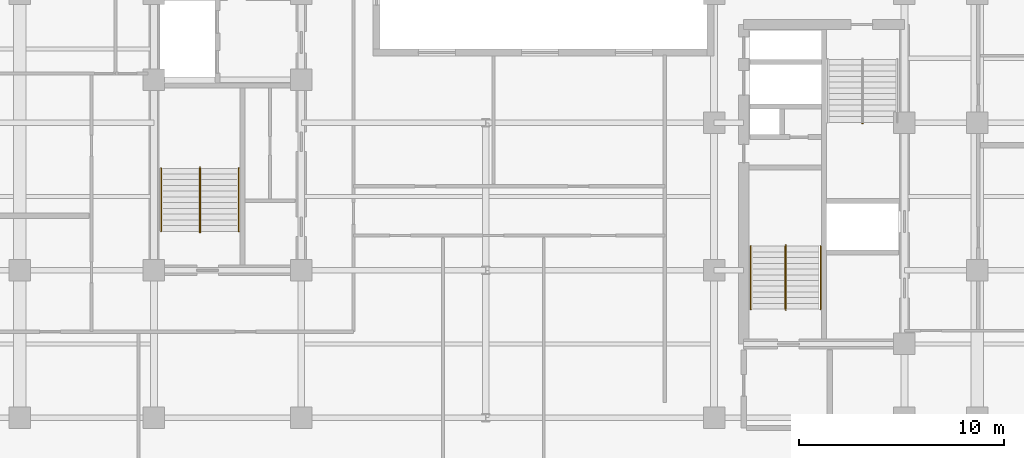
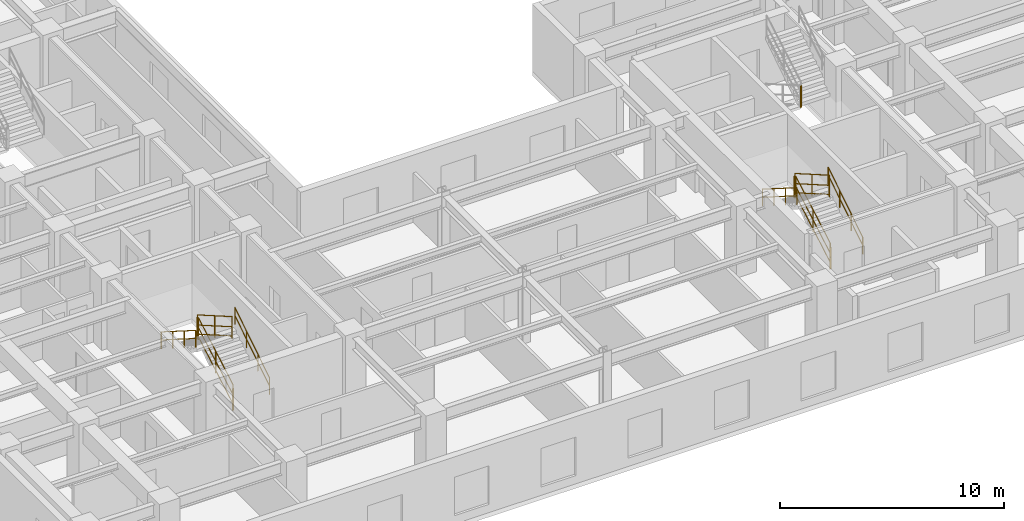
# One storey, part 8 of 10: 13 railings.
"""IFC4 building model written with IfcOpenShell, lengths in metres."""

from ifc_helpers import new_model, entity, si_unit, converted_unit, direction, frame, origin_with_axes, origin_2d_with_axis, place, context, subcontext, project, spatial, rectangle, circle, extrude, material, type_object, element, save


model = new_model("IFC4")

# Units and contexts
model_context = context("Model", 3, precision=1e-05, world=origin_with_axes(), true_north=direction((0.0, 1.0)))
body_context = subcontext(model_context, "Body", "Model", "MODEL_VIEW")
ifc_project = project(units=[si_unit("LENGTHUNIT", "METRE"), si_unit("AREAUNIT", "SQUARE_METRE"), si_unit("VOLUMEUNIT", "CUBIC_METRE"), converted_unit("PLANEANGLEUNIT", "DEGREE", entity("IfcPlaneAngleMeasure", 0.017453292519943295), si_unit("PLANEANGLEUNIT", "RADIAN"), dimensions=[0, 0, 0, 0, 0, 0, 0]), si_unit("MASSUNIT", "GRAM", prefix="KILO"), si_unit("THERMODYNAMICTEMPERATUREUNIT", "KELVIN")], contexts=[model_context])

# Site, building, storey
site_placement = place(None, origin_with_axes())
site = spatial("IfcSite", under=ifc_project, at=site_placement, CompositionType="ELEMENT")
building_placement = place(site_placement, origin_with_axes())
building = spatial("IfcBuilding", under=site, at=building_placement, Name="Varnlund Millrace Tower", CompositionType="ELEMENT")
storey_placement = place(building_placement, frame((0.0, 0.0, 148.5), z_axis=(0.0, 0.0, 1.0), x_axis=(1.0, 0.0, 0.0)))
storey = spatial("IfcBuildingStorey", under=building, at=storey_placement, Name="L36", CompositionType="ELEMENT", Elevation=148.5)

# Railings
ifc_material_1 = material(Name="Painted steel stair well balustrade guard", Category="steel")
railing_type_1 = type_object("IfcRailingType", Name="Type-StairGuard-1150", PredefinedType="GUARDRAIL", material=ifc_material_1)
railing_1_placement = place(storey_placement, frame((0.0, 0.0, -148.5), z_axis=(0.0, 0.0, 1.0), x_axis=(1.0, 0.0, 0.0)))
element("IfcRailing", 1, at=railing_1_placement, inside=storey, type_object=railing_type_1, Name="Type-StairGuard-1150", PredefinedType="GUARDRAIL", context=body_context, shape_type="SweptSolid", body=[
    extrude(circle(Radius=0.024, at=origin_2d_with_axis()), frame((13.675, 12.7, 149.827273), z_axis=(0.0, 0.866696, 0.498836), x_axis=(-1.0, 0.0, 0.0)), (0.0, 0.0, 1.0), 3.553725),
    extrude(circle(Radius=0.024, at=origin_2d_with_axis()), frame((13.675, 12.7, 148.777273), z_axis=(0.0, 0.866696, 0.498836), x_axis=(-1.0, 0.0, 0.0)), (0.0, 0.0, 1.0), 3.553725),
    extrude(circle(Radius=0.024, at=origin_2d_with_axis()), frame((13.675, 12.7, 149.275273), z_axis=(0.0, 0.866696, 0.498836), x_axis=(-1.0, 0.0, 0.0)), (0.0, 0.0, 1.0), 3.553725),
    extrude(rectangle(XDim=0.04, YDim=0.04, at=origin_2d_with_axis()), frame((13.675, 12.7, 148.637273), z_axis=(0.0, 0.0, 1.0), x_axis=(1.0, 0.0, 0.0)), (0.0, 0.0, 1.0), 1.19),
    extrude(rectangle(XDim=0.04, YDim=0.04, at=origin_2d_with_axis()), frame((13.675, 14.24, 149.523637), z_axis=(0.0, 0.0, 1.0), x_axis=(1.0, 0.0, 0.0)), (0.0, 0.0, 1.0), 1.19),
    extrude(rectangle(XDim=0.04, YDim=0.04, at=origin_2d_with_axis()), frame((13.675, 15.78, 150.41), z_axis=(0.0, 0.0, 1.0), x_axis=(1.0, 0.0, 0.0)), (0.0, 0.0, 1.0), 1.19),
])
railing_2_placement = place(storey_placement, frame((0.0, 0.0, -148.5), z_axis=(0.0, 0.0, 1.0), x_axis=(1.0, 0.0, 0.0)))
element("IfcRailing", 2, at=railing_2_placement, inside=storey, type_object=railing_type_1, Name="Type-StairGuard-1150", PredefinedType="GUARDRAIL", context=body_context, shape_type="SweptSolid", body=[
    extrude(circle(Radius=0.024, at=origin_2d_with_axis()), frame((13.625, 15.83, 151.6), z_axis=(1.0, 0.0, 0.0), x_axis=(0.0, 1.0, 0.0)), (0.0, 0.0, 1.0), 0.05),
    extrude(circle(Radius=0.024, at=origin_2d_with_axis()), frame((13.625, 15.83, 150.55), z_axis=(1.0, 0.0, 0.0), x_axis=(0.0, 1.0, 0.0)), (0.0, 0.0, 1.0), 0.05),
    extrude(circle(Radius=0.024, at=origin_2d_with_axis()), frame((13.625, 15.83, 151.048), z_axis=(1.0, 0.0, 0.0), x_axis=(0.0, 1.0, 0.0)), (0.0, 0.0, 1.0), 0.05),
    extrude(rectangle(XDim=0.04, YDim=0.04, at=origin_2d_with_axis()), frame((13.625, 15.83, 150.41), z_axis=(0.0, 0.0, 1.0), x_axis=(1.0, 0.0, 0.0)), (0.0, 0.0, 1.0), 1.19),
    extrude(rectangle(XDim=0.04, YDim=0.04, at=origin_2d_with_axis()), frame((13.675, 15.83, 150.41), z_axis=(0.0, 0.0, 1.0), x_axis=(1.0, 0.0, 0.0)), (0.0, 0.0, 1.0), 1.19),
])
railing_3_placement = place(storey_placement, frame((0.0, 0.0, -148.5), z_axis=(0.0, 0.0, 1.0), x_axis=(1.0, 0.0, 0.0)))
element("IfcRailing", 3, at=railing_3_placement, inside=storey, type_object=railing_type_1, Name="Type-StairGuard-1150", PredefinedType="GUARDRAIL", context=body_context, shape_type="SweptSolid", body=[
    extrude(circle(Radius=0.024, at=origin_2d_with_axis()), frame((13.625, 15.78, 151.777273), z_axis=(0.0, -0.866696, 0.498836), x_axis=(1.0, 0.0, 0.0)), (0.0, 0.0, 1.0), 3.553725),
    extrude(circle(Radius=0.024, at=origin_2d_with_axis()), frame((13.625, 15.78, 150.727273), z_axis=(0.0, -0.866696, 0.498836), x_axis=(1.0, 0.0, 0.0)), (0.0, 0.0, 1.0), 3.553725),
    extrude(circle(Radius=0.024, at=origin_2d_with_axis()), frame((13.625, 15.78, 151.225273), z_axis=(0.0, -0.866696, 0.498836), x_axis=(1.0, 0.0, 0.0)), (0.0, 0.0, 1.0), 3.553725),
    extrude(rectangle(XDim=0.04, YDim=0.04, at=origin_2d_with_axis()), frame((13.625, 15.78, 150.587273), z_axis=(0.0, 0.0, 1.0), x_axis=(1.0, 0.0, 0.0)), (0.0, 0.0, 1.0), 1.19),
    extrude(rectangle(XDim=0.04, YDim=0.04, at=origin_2d_with_axis()), frame((13.625, 14.24, 151.473637), z_axis=(0.0, 0.0, 1.0), x_axis=(1.0, 0.0, 0.0)), (0.0, 0.0, 1.0), 1.19),
    extrude(rectangle(XDim=0.04, YDim=0.04, at=origin_2d_with_axis()), frame((13.625, 12.7, 152.36), z_axis=(0.0, 0.0, 1.0), x_axis=(1.0, 0.0, 0.0)), (0.0, 0.0, 1.0), 1.19),
])
railing_4_placement = place(storey_placement, frame((0.0, 0.0, -148.5), z_axis=(0.0, 0.0, 1.0), x_axis=(1.0, 0.0, 0.0)))
element("IfcRailing", 4, at=railing_4_placement, inside=storey, type_object=railing_type_1, Name="Type-StairGuard-1150", PredefinedType="GUARDRAIL", context=body_context, shape_type="SweptSolid", body=[
    extrude(circle(Radius=0.024, at=origin_2d_with_axis()), frame((13.625, 12.65, 149.65), z_axis=(1.0, 0.0, 0.0), x_axis=(0.0, 1.0, 0.0)), (0.0, 0.0, 1.0), 0.05),
    extrude(circle(Radius=0.024, at=origin_2d_with_axis()), frame((13.625, 12.65, 148.6), z_axis=(1.0, 0.0, 0.0), x_axis=(0.0, 1.0, 0.0)), (0.0, 0.0, 1.0), 0.05),
    extrude(circle(Radius=0.024, at=origin_2d_with_axis()), frame((13.625, 12.65, 149.098), z_axis=(1.0, 0.0, 0.0), x_axis=(0.0, 1.0, 0.0)), (0.0, 0.0, 1.0), 0.05),
    extrude(rectangle(XDim=0.04, YDim=0.04, at=origin_2d_with_axis()), frame((13.625, 12.65, 148.46), z_axis=(0.0, 0.0, 1.0), x_axis=(1.0, 0.0, 0.0)), (0.0, 0.0, 1.0), 1.19),
    extrude(rectangle(XDim=0.04, YDim=0.04, at=origin_2d_with_axis()), frame((13.675, 12.65, 148.46), z_axis=(0.0, 0.0, 1.0), x_axis=(1.0, 0.0, 0.0)), (0.0, 0.0, 1.0), 1.19),
])
railing_5_placement = place(storey_placement, frame((0.0, 0.0, -148.5), z_axis=(0.0, 0.0, 1.0), x_axis=(1.0, 0.0, 0.0)))
element("IfcRailing", 5, at=railing_5_placement, inside=storey, type_object=railing_type_1, Name="Type-StairGuard-1150", PredefinedType="GUARDRAIL", context=body_context, shape_type="SweptSolid", body=[
    extrude(circle(Radius=0.024, at=origin_2d_with_axis()), frame((42.275, 8.9, 149.827273), z_axis=(0.0, 0.866696, 0.498836), x_axis=(-1.0, 0.0, 0.0)), (0.0, 0.0, 1.0), 3.553725),
    extrude(circle(Radius=0.024, at=origin_2d_with_axis()), frame((42.275, 8.9, 148.777273), z_axis=(0.0, 0.866696, 0.498836), x_axis=(-1.0, 0.0, 0.0)), (0.0, 0.0, 1.0), 3.553725),
    extrude(circle(Radius=0.024, at=origin_2d_with_axis()), frame((42.275, 8.9, 149.275273), z_axis=(0.0, 0.866696, 0.498836), x_axis=(-1.0, 0.0, 0.0)), (0.0, 0.0, 1.0), 3.553725),
    extrude(rectangle(XDim=0.04, YDim=0.04, at=origin_2d_with_axis()), frame((42.275, 8.9, 148.637273), z_axis=(0.0, 0.0, 1.0), x_axis=(1.0, 0.0, 0.0)), (0.0, 0.0, 1.0), 1.19),
    extrude(rectangle(XDim=0.04, YDim=0.04, at=origin_2d_with_axis()), frame((42.275, 10.44, 149.523637), z_axis=(0.0, 0.0, 1.0), x_axis=(1.0, 0.0, 0.0)), (0.0, 0.0, 1.0), 1.19),
    extrude(rectangle(XDim=0.04, YDim=0.04, at=origin_2d_with_axis()), frame((42.275, 11.98, 150.41), z_axis=(0.0, 0.0, 1.0), x_axis=(1.0, 0.0, 0.0)), (0.0, 0.0, 1.0), 1.19),
])
railing_6_placement = place(storey_placement, frame((0.0, 0.0, -148.5), z_axis=(0.0, 0.0, 1.0), x_axis=(1.0, 0.0, 0.0)))
element("IfcRailing", 6, at=railing_6_placement, inside=storey, type_object=railing_type_1, Name="Type-StairGuard-1150", PredefinedType="GUARDRAIL", context=body_context, shape_type="SweptSolid", body=[
    extrude(circle(Radius=0.024, at=origin_2d_with_axis()), frame((42.225, 12.03, 151.6), z_axis=(1.0, 0.0, 0.0), x_axis=(0.0, 1.0, 0.0)), (0.0, 0.0, 1.0), 0.05),
    extrude(circle(Radius=0.024, at=origin_2d_with_axis()), frame((42.225, 12.03, 150.55), z_axis=(1.0, 0.0, 0.0), x_axis=(0.0, 1.0, 0.0)), (0.0, 0.0, 1.0), 0.05),
    extrude(circle(Radius=0.024, at=origin_2d_with_axis()), frame((42.225, 12.03, 151.048), z_axis=(1.0, 0.0, 0.0), x_axis=(0.0, 1.0, 0.0)), (0.0, 0.0, 1.0), 0.05),
    extrude(rectangle(XDim=0.04, YDim=0.04, at=origin_2d_with_axis()), frame((42.225, 12.03, 150.41), z_axis=(0.0, 0.0, 1.0), x_axis=(1.0, 0.0, 0.0)), (0.0, 0.0, 1.0), 1.19),
    extrude(rectangle(XDim=0.04, YDim=0.04, at=origin_2d_with_axis()), frame((42.275, 12.03, 150.41), z_axis=(0.0, 0.0, 1.0), x_axis=(1.0, 0.0, 0.0)), (0.0, 0.0, 1.0), 1.19),
])
railing_7_placement = place(storey_placement, frame((0.0, 0.0, -148.5), z_axis=(0.0, 0.0, 1.0), x_axis=(1.0, 0.0, 0.0)))
element("IfcRailing", 7, at=railing_7_placement, inside=storey, type_object=railing_type_1, Name="Type-StairGuard-1150", PredefinedType="GUARDRAIL", context=body_context, shape_type="SweptSolid", body=[
    extrude(circle(Radius=0.024, at=origin_2d_with_axis()), frame((42.225, 11.98, 151.777273), z_axis=(0.0, -0.866696, 0.498836), x_axis=(1.0, 0.0, 0.0)), (0.0, 0.0, 1.0), 3.553725),
    extrude(circle(Radius=0.024, at=origin_2d_with_axis()), frame((42.225, 11.98, 150.727273), z_axis=(0.0, -0.866696, 0.498836), x_axis=(1.0, 0.0, 0.0)), (0.0, 0.0, 1.0), 3.553725),
    extrude(circle(Radius=0.024, at=origin_2d_with_axis()), frame((42.225, 11.98, 151.225273), z_axis=(0.0, -0.866696, 0.498836), x_axis=(1.0, 0.0, 0.0)), (0.0, 0.0, 1.0), 3.553725),
    extrude(rectangle(XDim=0.04, YDim=0.04, at=origin_2d_with_axis()), frame((42.225, 11.98, 150.587273), z_axis=(0.0, 0.0, 1.0), x_axis=(1.0, 0.0, 0.0)), (0.0, 0.0, 1.0), 1.19),
    extrude(rectangle(XDim=0.04, YDim=0.04, at=origin_2d_with_axis()), frame((42.225, 10.44, 151.473637), z_axis=(0.0, 0.0, 1.0), x_axis=(1.0, 0.0, 0.0)), (0.0, 0.0, 1.0), 1.19),
    extrude(rectangle(XDim=0.04, YDim=0.04, at=origin_2d_with_axis()), frame((42.225, 8.9, 152.36), z_axis=(0.0, 0.0, 1.0), x_axis=(1.0, 0.0, 0.0)), (0.0, 0.0, 1.0), 1.19),
])
railing_8_placement = place(storey_placement, frame((0.0, 0.0, -148.5), z_axis=(0.0, 0.0, 1.0), x_axis=(1.0, 0.0, 0.0)))
element("IfcRailing", 8, at=railing_8_placement, inside=storey, type_object=railing_type_1, Name="Type-StairGuard-1150", PredefinedType="GUARDRAIL", context=body_context, shape_type="SweptSolid", body=[
    extrude(circle(Radius=0.024, at=origin_2d_with_axis()), frame((42.225, 8.85, 149.65), z_axis=(1.0, 0.0, 0.0), x_axis=(0.0, 1.0, 0.0)), (0.0, 0.0, 1.0), 0.05),
    extrude(circle(Radius=0.024, at=origin_2d_with_axis()), frame((42.225, 8.85, 148.6), z_axis=(1.0, 0.0, 0.0), x_axis=(0.0, 1.0, 0.0)), (0.0, 0.0, 1.0), 0.05),
    extrude(circle(Radius=0.024, at=origin_2d_with_axis()), frame((42.225, 8.85, 149.098), z_axis=(1.0, 0.0, 0.0), x_axis=(0.0, 1.0, 0.0)), (0.0, 0.0, 1.0), 0.05),
    extrude(rectangle(XDim=0.04, YDim=0.04, at=origin_2d_with_axis()), frame((42.225, 8.85, 148.46), z_axis=(0.0, 0.0, 1.0), x_axis=(1.0, 0.0, 0.0)), (0.0, 0.0, 1.0), 1.19),
    extrude(rectangle(XDim=0.04, YDim=0.04, at=origin_2d_with_axis()), frame((42.275, 8.85, 148.46), z_axis=(0.0, 0.0, 1.0), x_axis=(1.0, 0.0, 0.0)), (0.0, 0.0, 1.0), 1.19),
])
railing_9_placement = place(storey_placement, frame((0.0, 0.0, -148.5), z_axis=(0.0, 0.0, 1.0), x_axis=(1.0, 0.0, 0.0)))
element("IfcRailing", 9, at=railing_9_placement, inside=storey, type_object=railing_type_1, Name="Type-StairGuard-1150", PredefinedType="GUARDRAIL", context=body_context, shape_type="SweptSolid", body=[
    extrude(circle(Radius=0.024, at=origin_2d_with_axis()), frame((46.025, 17.97, 151.6), z_axis=(-1.0, 0.0, 0.0), x_axis=(0.0, -1.0, 0.0)), (0.0, 0.0, 1.0), 0.05),
    extrude(circle(Radius=0.024, at=origin_2d_with_axis()), frame((46.025, 17.97, 150.55), z_axis=(-1.0, 0.0, 0.0), x_axis=(0.0, -1.0, 0.0)), (0.0, 0.0, 1.0), 0.05),
    extrude(circle(Radius=0.024, at=origin_2d_with_axis()), frame((46.025, 17.97, 151.048), z_axis=(-1.0, 0.0, 0.0), x_axis=(0.0, -1.0, 0.0)), (0.0, 0.0, 1.0), 0.05),
    extrude(rectangle(XDim=0.04, YDim=0.04, at=origin_2d_with_axis()), frame((46.025, 17.97, 150.41), z_axis=(0.0, 0.0, 1.0), x_axis=(1.0, 0.0, 0.0)), (0.0, 0.0, 1.0), 1.19),
    extrude(rectangle(XDim=0.04, YDim=0.04, at=origin_2d_with_axis()), frame((45.975, 17.97, 150.41), z_axis=(0.0, 0.0, 1.0), x_axis=(1.0, 0.0, 0.0)), (0.0, 0.0, 1.0), 1.19),
])
ifc_material_2 = material(Name="Brushed architectural bronze stair handrail", Category="aluminium")
railing_type_2 = type_object("IfcRailingType", Name="Type-StairHandrail-900", PredefinedType="HANDRAIL", material=ifc_material_2)
railing_10_placement = place(storey_placement, frame((0.0, 0.0, -148.5), z_axis=(0.0, 0.0, 1.0), x_axis=(1.0, 0.0, 0.0)))
element("IfcRailing", 10, at=railing_10_placement, inside=storey, type_object=railing_type_2, Name="Type-StairHandrail-900", PredefinedType="HANDRAIL", context=body_context, shape_type="SweptSolid", body=[
    extrude(circle(Radius=0.024, at=origin_2d_with_axis()), frame((15.55, 12.7, 149.556995), z_axis=(0.0, 0.844902, 0.534922), x_axis=(-1.0, 0.0, 0.0)), (0.0, 0.0, 1.0), 3.645394),
    extrude(circle(Radius=0.024, at=origin_2d_with_axis()), frame((15.55, 12.7, 149.117134), z_axis=(0.0, 0.844902, 0.534922), x_axis=(-1.0, 0.0, 0.0)), (0.0, 0.0, 1.0), 3.645394),
    extrude(rectangle(XDim=0.04, YDim=0.04, at=origin_2d_with_axis()), frame((15.55, 12.7, 148.637273), z_axis=(0.0, 0.0, 1.0), x_axis=(1.0, 0.0, 0.0)), (0.0, 0.0, 1.0), 0.919722),
    extrude(rectangle(XDim=0.04, YDim=0.04, at=origin_2d_with_axis()), frame((15.55, 13.726667, 149.287273), z_axis=(0.0, 0.0, 1.0), x_axis=(1.0, 0.0, 0.0)), (0.0, 0.0, 1.0), 0.919722),
    extrude(rectangle(XDim=0.04, YDim=0.04, at=origin_2d_with_axis()), frame((15.55, 14.753333, 149.937273), z_axis=(0.0, 0.0, 1.0), x_axis=(1.0, 0.0, 0.0)), (0.0, 0.0, 1.0), 0.919722),
    extrude(rectangle(XDim=0.04, YDim=0.04, at=origin_2d_with_axis()), frame((15.55, 15.78, 150.587273), z_axis=(0.0, 0.0, 1.0), x_axis=(1.0, 0.0, 0.0)), (0.0, 0.0, 1.0), 0.919722),
])
railing_11_placement = place(storey_placement, frame((0.0, 0.0, -148.5), z_axis=(0.0, 0.0, 1.0), x_axis=(1.0, 0.0, 0.0)))
element("IfcRailing", 11, at=railing_11_placement, inside=storey, type_object=railing_type_2, Name="Type-StairHandrail-900", PredefinedType="HANDRAIL", context=body_context, shape_type="SweptSolid", body=[
    extrude(circle(Radius=0.024, at=origin_2d_with_axis()), frame((11.75, 15.78, 151.506995), z_axis=(0.0, -0.844902, 0.534922), x_axis=(1.0, 0.0, 0.0)), (0.0, 0.0, 1.0), 3.645394),
    extrude(circle(Radius=0.024, at=origin_2d_with_axis()), frame((11.75, 15.78, 151.067134), z_axis=(0.0, -0.844902, 0.534922), x_axis=(1.0, 0.0, 0.0)), (0.0, 0.0, 1.0), 3.645394),
    extrude(rectangle(XDim=0.04, YDim=0.04, at=origin_2d_with_axis()), frame((11.75, 15.78, 150.587273), z_axis=(0.0, 0.0, 1.0), x_axis=(1.0, 0.0, 0.0)), (0.0, 0.0, 1.0), 0.919722),
    extrude(rectangle(XDim=0.04, YDim=0.04, at=origin_2d_with_axis()), frame((11.75, 14.753333, 151.237273), z_axis=(0.0, 0.0, 1.0), x_axis=(1.0, 0.0, 0.0)), (0.0, 0.0, 1.0), 0.919722),
    extrude(rectangle(XDim=0.04, YDim=0.04, at=origin_2d_with_axis()), frame((11.75, 13.726667, 151.887273), z_axis=(0.0, 0.0, 1.0), x_axis=(1.0, 0.0, 0.0)), (0.0, 0.0, 1.0), 0.919722),
    extrude(rectangle(XDim=0.04, YDim=0.04, at=origin_2d_with_axis()), frame((11.75, 12.7, 152.537273), z_axis=(0.0, 0.0, 1.0), x_axis=(1.0, 0.0, 0.0)), (0.0, 0.0, 1.0), 0.919722),
])
railing_12_placement = place(storey_placement, frame((0.0, 0.0, -148.5), z_axis=(0.0, 0.0, 1.0), x_axis=(1.0, 0.0, 0.0)))
element("IfcRailing", 12, at=railing_12_placement, inside=storey, type_object=railing_type_2, Name="Type-StairHandrail-900", PredefinedType="HANDRAIL", context=body_context, shape_type="SweptSolid", body=[
    extrude(circle(Radius=0.024, at=origin_2d_with_axis()), frame((43.95, 8.9, 149.556995), z_axis=(0.0, 0.844902, 0.534922), x_axis=(-1.0, 0.0, 0.0)), (0.0, 0.0, 1.0), 3.645394),
    extrude(circle(Radius=0.024, at=origin_2d_with_axis()), frame((43.95, 8.9, 149.117134), z_axis=(0.0, 0.844902, 0.534922), x_axis=(-1.0, 0.0, 0.0)), (0.0, 0.0, 1.0), 3.645394),
    extrude(rectangle(XDim=0.04, YDim=0.04, at=origin_2d_with_axis()), frame((43.95, 8.9, 148.637273), z_axis=(0.0, 0.0, 1.0), x_axis=(1.0, 0.0, 0.0)), (0.0, 0.0, 1.0), 0.919722),
    extrude(rectangle(XDim=0.04, YDim=0.04, at=origin_2d_with_axis()), frame((43.95, 9.926667, 149.287273), z_axis=(0.0, 0.0, 1.0), x_axis=(1.0, 0.0, 0.0)), (0.0, 0.0, 1.0), 0.919722),
    extrude(rectangle(XDim=0.04, YDim=0.04, at=origin_2d_with_axis()), frame((43.95, 10.953333, 149.937273), z_axis=(0.0, 0.0, 1.0), x_axis=(1.0, 0.0, 0.0)), (0.0, 0.0, 1.0), 0.919722),
    extrude(rectangle(XDim=0.04, YDim=0.04, at=origin_2d_with_axis()), frame((43.95, 11.98, 150.587273), z_axis=(0.0, 0.0, 1.0), x_axis=(1.0, 0.0, 0.0)), (0.0, 0.0, 1.0), 0.919722),
])
railing_13_placement = place(storey_placement, frame((0.0, 0.0, -148.5), z_axis=(0.0, 0.0, 1.0), x_axis=(1.0, 0.0, 0.0)))
element("IfcRailing", 13, at=railing_13_placement, inside=storey, type_object=railing_type_2, Name="Type-StairHandrail-900", PredefinedType="HANDRAIL", context=body_context, shape_type="SweptSolid", body=[
    extrude(circle(Radius=0.024, at=origin_2d_with_axis()), frame((40.55, 11.98, 151.506995), z_axis=(0.0, -0.844902, 0.534922), x_axis=(1.0, 0.0, 0.0)), (0.0, 0.0, 1.0), 3.645394),
    extrude(circle(Radius=0.024, at=origin_2d_with_axis()), frame((40.55, 11.98, 151.067134), z_axis=(0.0, -0.844902, 0.534922), x_axis=(1.0, 0.0, 0.0)), (0.0, 0.0, 1.0), 3.645394),
    extrude(rectangle(XDim=0.04, YDim=0.04, at=origin_2d_with_axis()), frame((40.55, 11.98, 150.587273), z_axis=(0.0, 0.0, 1.0), x_axis=(1.0, 0.0, 0.0)), (0.0, 0.0, 1.0), 0.919722),
    extrude(rectangle(XDim=0.04, YDim=0.04, at=origin_2d_with_axis()), frame((40.55, 10.953333, 151.237273), z_axis=(0.0, 0.0, 1.0), x_axis=(1.0, 0.0, 0.0)), (0.0, 0.0, 1.0), 0.919722),
    extrude(rectangle(XDim=0.04, YDim=0.04, at=origin_2d_with_axis()), frame((40.55, 9.926667, 151.887273), z_axis=(0.0, 0.0, 1.0), x_axis=(1.0, 0.0, 0.0)), (0.0, 0.0, 1.0), 0.919722),
    extrude(rectangle(XDim=0.04, YDim=0.04, at=origin_2d_with_axis()), frame((40.55, 8.9, 152.537273), z_axis=(0.0, 0.0, 1.0), x_axis=(1.0, 0.0, 0.0)), (0.0, 0.0, 1.0), 0.919722),
])

save(model, "model.ifc")
